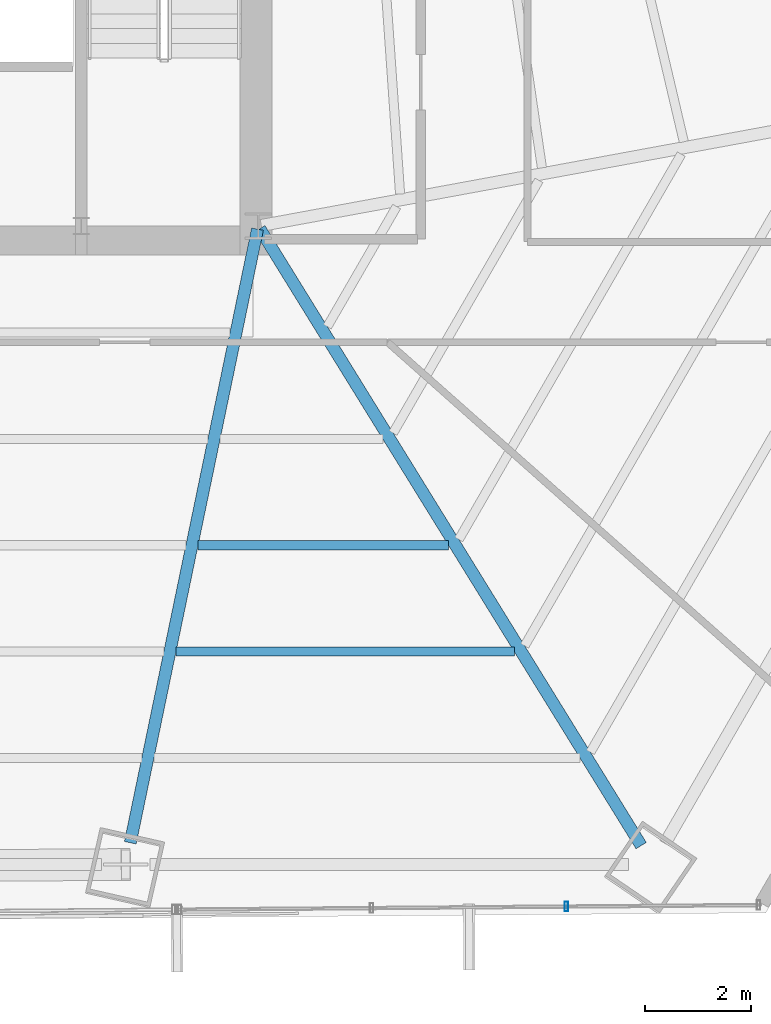
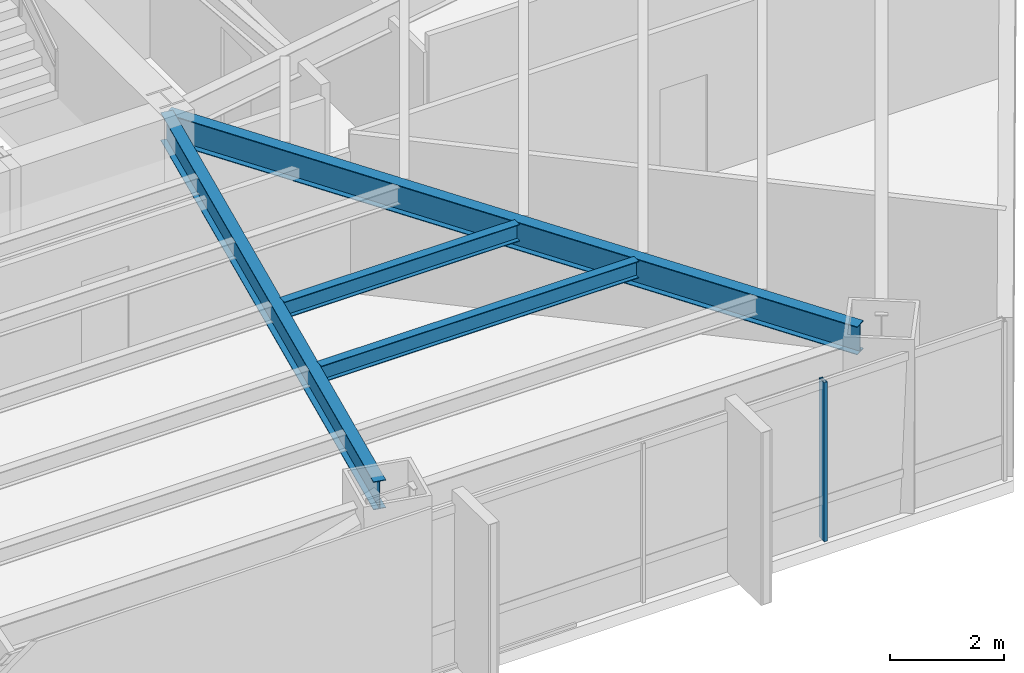
# One storey, part 16 of 34: 4 beams, 1 member, 1 element without a shape of its own.
"""IFC4 building model written with IfcOpenShell, lengths in metres."""

from ifc_helpers import new_model, si_unit, direction, frame, origin, origin_2d, place, context, subcontext, project, spatial, hollow_rectangle, i_section, extrude, source, transform, mapped, material, material_profile, profile_set, type_object, type_shapes, element, aggregate, save


model = new_model("IFC4")

# Units and contexts
model_context = context("Model", 3, precision=1e-05, world=origin(), true_north=direction((0.0, 1.0)))
body_context = subcontext(model_context, "Body", "Model", "MODEL_VIEW")
ifc_project = project(units=[si_unit("LENGTHUNIT", "METRE"), si_unit("AREAUNIT", "SQUARE_METRE"), si_unit("VOLUMEUNIT", "CUBIC_METRE"), si_unit("PLANEANGLEUNIT", "RADIAN"), si_unit("MASSUNIT", "GRAM", prefix="KILO")], contexts=[model_context])

# Site, building, storey
site_placement = place(None, origin())
site = spatial("IfcSite", under=ifc_project, at=site_placement, CompositionType="ELEMENT")
building_placement = place(site_placement, origin())
building = spatial("IfcBuilding", under=site, at=building_placement, Name="Caelisora Broadcast Tower", CompositionType="ELEMENT")
storey_placement = place(building_placement, frame((0.0, 0.0, 49.5)))
storey = spatial("IfcBuildingStorey", under=building, at=storey_placement, Name="L12", CompositionType="ELEMENT", Elevation=49.5)

# Beams
ifc_material_1 = material(Name="Steel Grade 350 (AS/NZS 3679.1)", Category="steel")
ifc_material_profile_1 = material_profile(ifc_material_1, i_section(OverallWidth=0.172119140625, OverallDepth=0.358642578125, WebThickness=0.008056640625, FlangeThickness=0.012939453125, at=origin_2d()), Name="Steel Grade 350 (AS/NZS 3679.1)")
ifc_profile_set_1 = profile_set([ifc_material_profile_1], Name="Steel Grade 350 (AS/NZS 3679.1)")
beam_type_1 = type_object("IfcBeamType", Name="SB02", PredefinedType="JOIST", material=ifc_profile_set_1)
shared_shape_1 = source(origin(), body_context, "Body", "SweptSolid", [
    extrude(i_section(OverallWidth=0.172119140625, OverallDepth=0.358642578125, WebThickness=0.008056640625, FlangeThickness=0.012939453125, at=origin_2d()), origin(), (0.0, 0.0, 1.0), 4.747802734375),
])
beam_1_placement = place(storey_placement, frame((44.359619140625, 11.35302734375, 3.220703125), z_axis=(1.0, 0.0, 0.0), x_axis=(0.0, 1.0, 0.0)))
element("IfcBeam", 1, at=beam_1_placement, inside=storey, type_object=beam_type_1, Name="L12 beam SB02", PredefinedType="JOIST", context=body_context, shape_type="MappedRepresentation", body=[
    mapped(shared_shape_1, transform((0.0, 0.0, 0.0), scale=1.0)),
])
ifc_material_profile_2 = material_profile(ifc_material_1, i_section(OverallWidth=0.22802734375, OverallDepth=0.602294921875, WebThickness=0.010498046875, FlangeThickness=0.014892578125, at=origin_2d()), Name="Steel Grade 350 (AS/NZS 3679.1)")
ifc_profile_set_2 = profile_set([ifc_material_profile_2], Name="Steel Grade 350 (AS/NZS 3679.1)")
beam_type_2 = type_object("IfcBeamType", Name="PG04", PredefinedType="BEAM", material=ifc_profile_set_2)
shared_shape_2 = source(origin(), body_context, "Body", "SweptSolid", [
    extrude(i_section(OverallWidth=0.22802734375, OverallDepth=0.602294921875, WebThickness=0.010498046875, FlangeThickness=0.014892578125, at=origin_2d()), origin(), (0.0, 0.0, 1.0), 13.738525390625),
])
beam_2_placement = place(storey_placement, frame((45.531494140625, 17.34912109375, 3.098876953125), z_axis=(0.525831448205, -0.850588789062, 0.0), x_axis=(0.850588789062, 0.525831448205, 0.0)))
element("IfcBeam", 2, at=beam_2_placement, inside=storey, type_object=beam_type_2, Name="L12 beam PG04", PredefinedType="BEAM", context=body_context, shape_type="MappedRepresentation", body=[
    mapped(shared_shape_2, transform((0.0, 0.0, 0.0), scale=1.0)),
])
shared_shape_3 = source(origin(), body_context, "Body", "SweptSolid", [
    extrude(i_section(OverallWidth=0.22802734375, OverallDepth=0.602294921875, WebThickness=0.010498046875, FlangeThickness=0.014892578125, at=origin_2d()), origin(), (0.0, 0.0, 1.0), 11.871337890625),
])
type_shapes(beam_type_2, [shared_shape_2, shared_shape_3])
beam_3_placement = place(storey_placement, frame((45.48779296875, 17.34130859375, 3.098876953125), z_axis=(-0.203044214995, -0.979169569971, 0.0), x_axis=(0.979169569971, -0.203044214995, 0.0)))
element("IfcBeam", 3, at=beam_3_placement, inside=storey, type_object=beam_type_2, Name="L12 beam PG04", PredefinedType="BEAM", context=body_context, shape_type="MappedRepresentation", body=[
    mapped(shared_shape_3, transform((0.0, 0.0, 0.0), scale=1.0)),
])
shared_shape_4 = source(origin(), body_context, "Body", "SweptSolid", [
    extrude(i_section(OverallWidth=0.172119140625, OverallDepth=0.358642578125, WebThickness=0.008056640625, FlangeThickness=0.012939453125, at=origin_2d()), origin(), (0.0, 0.0, 1.0), 6.411865234375),
])
type_shapes(beam_type_1, [shared_shape_1, shared_shape_4])
beam_4_placement = place(storey_placement, frame((43.94140625, 9.33740234375, 3.220703125), z_axis=(1.0, 0.0, 0.0), x_axis=(0.0, 1.0, 0.0)))
element("IfcBeam", 4, at=beam_4_placement, inside=storey, type_object=beam_type_1, Name="L12 beam SB02", PredefinedType="JOIST", context=body_context, shape_type="MappedRepresentation", body=[
    mapped(shared_shape_4, transform((0.0, 0.0, 0.0), scale=1.0)),
])

# Curtain wall, member
ifc_material_2 = material(Name="Unitised Aluminium and Low-E Glass Curtain Wall", Category="glass")
curtain_wall_type = type_object("IfcCurtainWallType", Name="CW-Z1", PredefinedType="NOTDEFINED", material=ifc_material_2)
curtain_wall_placement = place(storey_placement, origin())
curtain_wall = element("IfcCurtainWall", 5, at=curtain_wall_placement, inside=storey, type_object=curtain_wall_type, Name="L12 curtain wall CW-Z1", PredefinedType="NOTDEFINED")
ifc_material_3 = material(Name="Aluminium 6063-T6 Anodised Terracotta Bronze", Category="aluminium")
ifc_material_profile_3 = material_profile(ifc_material_3, hollow_rectangle(XDim=0.06494140625, YDim=0.179931640625, WallThickness=0.00341796875, at=origin_2d()), Name="Aluminium 6063-T6 Anodised Terracotta Bronze")
ifc_profile_set_3 = profile_set([ifc_material_profile_3], Name="Aluminium 6063-T6 Anodised Terracotta Bronze")
member_type = type_object("IfcMemberType", Name="CWM-02", PredefinedType="MULLION", material=ifc_profile_set_3)
shared_shape_5 = source(origin(), body_context, "Body", "SweptSolid", [
    extrude(hollow_rectangle(XDim=0.06494140625, YDim=0.179931640625, WallThickness=0.00341796875, at=origin_2d()), origin(), (0.0, 0.0, 1.0), 3.39990234375),
])
type_shapes(member_type, [shared_shape_5])
member_placement = place(storey_placement, frame((51.340087890625, 4.509033203125, 0.0), z_axis=(0.0, 0.0, 1.0), x_axis=(1.0, 0.0, 0.0)))
member = element("IfcMember", 6, at=member_placement, type_object=member_type, Name="L12-CW-B05 mullion #1", PredefinedType="MULLION", context=body_context, shape_type="MappedRepresentation", body=[
    mapped(shared_shape_5, transform((0.0, 0.0, 0.0), scale=1.0)),
])
aggregate(curtain_wall, [member])

save(model, "model.ifc")
